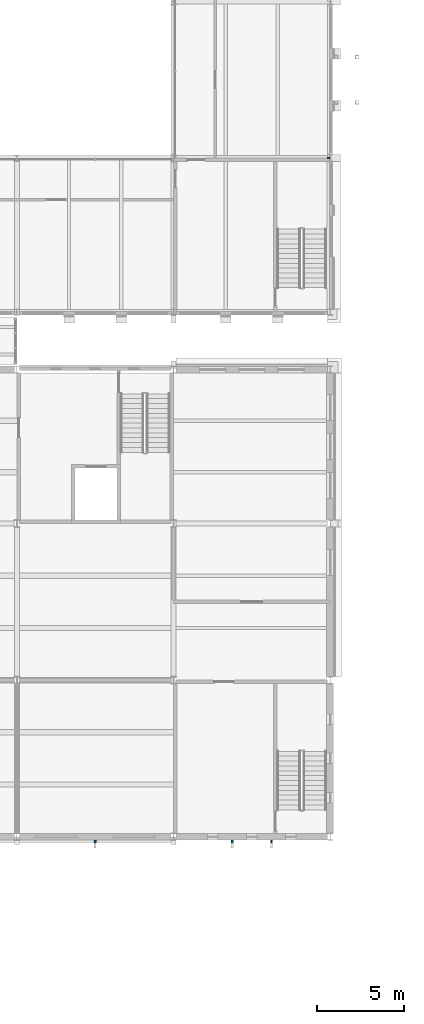
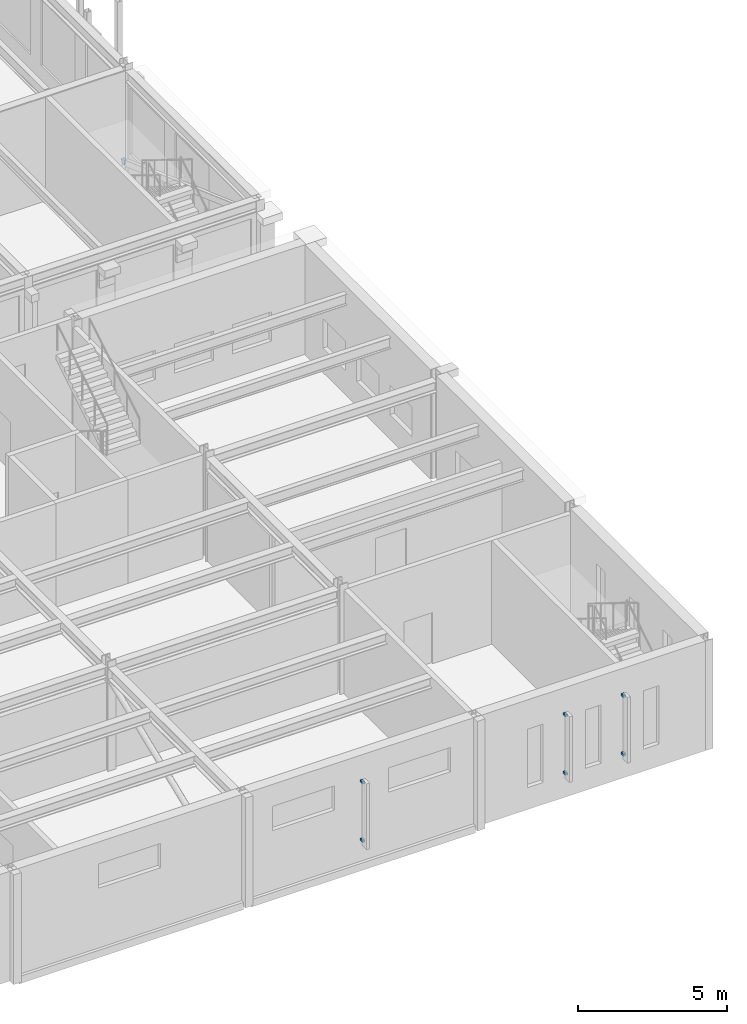
# One storey, part 114 of 153: 7 discrete accessories.
"""IFC4 building model written with IfcOpenShell, lengths in metres."""

from ifc_helpers import new_model, si_unit, direction, frame, origin, origin_2d, place, context, subcontext, project, spatial, rectangle, extrude, material, material_profile, profile_set, type_object, element, save


model = new_model("IFC4")

# Units and contexts
model_context = context("Model", 3, precision=1e-05, world=origin(), true_north=direction((0.0, 1.0)))
body_context = subcontext(model_context, "Body", "Model", "MODEL_VIEW")
ifc_project = project(units=[si_unit("LENGTHUNIT", "METRE"), si_unit("AREAUNIT", "SQUARE_METRE"), si_unit("VOLUMEUNIT", "CUBIC_METRE"), si_unit("PLANEANGLEUNIT", "RADIAN"), si_unit("MASSUNIT", "GRAM", prefix="KILO")], contexts=[model_context])

# Site, building, storey
site_placement = place(None, origin())
site = spatial("IfcSite", under=ifc_project, at=site_placement, CompositionType="ELEMENT")
building_placement = place(site_placement, origin())
building = spatial("IfcBuilding", under=site, at=building_placement, Name="Kallimachos Central Library", CompositionType="ELEMENT")
storey_placement = place(building_placement, frame((0.0, 0.0, 5.39990234375)))
storey = spatial("IfcBuildingStorey", under=building, at=storey_placement, Name="L01", CompositionType="ELEMENT", Elevation=5.39990234375)

# Discrete accessories
ifc_material_1 = material(Name="Steel S355J2", Category="steel")
ifc_material_profile = material_profile(ifc_material_1, rectangle(XDim=0.14990234375, YDim=0.25, at=origin_2d()), Name="End cap plate 10, 150x250")
ifc_profile_set = profile_set([ifc_material_profile], Name="Steel S355J2")
discrete_accessory_type_1 = type_object("IfcDiscreteAccessoryType", Name="End cap plate 10, 150x250", PredefinedType="BRACKET", material=ifc_profile_set)
discrete_accessory_placement = place(storey_placement, frame((110.39990234375, 57.009521484375, 0.396728515625), z_axis=(0.0, -0.941194670762, 0.337864753607), x_axis=(1.0, 0.0, 0.0)))
element("IfcDiscreteAccessory", 1, at=discrete_accessory_placement, inside=storey, type_object=discrete_accessory_type_1, Name="End cap plate", PredefinedType="BRACKET", context=body_context, shape_type="SweptSolid", body=[
    extrude(rectangle(XDim=0.14990234375, YDim=0.25, at=origin_2d()), origin(), (0.0, 0.0, 1.0), 0.010009765625),
])
ifc_material_2 = material(Name="Stainless steel", Category="steel")
discrete_accessory_type_2 = type_object("IfcDiscreteAccessoryType", Name="Fin bracket", PredefinedType="BRACKET", material=ifc_material_2)
for number, where, z_axis, x_axis, name in (
    (2, (97.0, 17.72509765625, 1.0), (0.0, 0.0, 1.0), (1.0, 0.0, 0.0), "Fin bracket -L01-013"),
    (3, (97.0, 17.72509765625, 3.400146484375), (0.0, 0.0, 1.0), (1.0, 0.0, 0.0), "Fin bracket -L01-013"),
    (4, (104.875, 17.72509765625, 1.0), (0.0, 0.0, 1.0), (1.0, 0.0, 0.0), "Fin bracket -L01-014"),
    (5, (104.875, 17.72509765625, 3.400146484375), (0.0, 0.0, 1.0), (1.0, 0.0, 0.0), "Fin bracket -L01-014"),
    (6, (107.125, 17.72509765625, 1.0), (0.0, 0.0, 1.0), (1.0, 0.0, 0.0), "Fin bracket -L01-014"),
    (7, (107.125, 17.72509765625, 3.400146484375), (0.0, 0.0, 1.0), (1.0, 0.0, 0.0), "Fin bracket -L01-014"),
):
    element("IfcDiscreteAccessory", number, at=place(storey_placement, frame(where, z_axis=z_axis, x_axis=x_axis)), inside=storey, type_object=discrete_accessory_type_2, Name=name, PredefinedType="BRACKET", context=body_context, shape_type="SweptSolid", body=[
        extrude(rectangle(XDim=0.10009765625, YDim=0.14990234375, at=origin_2d()), origin(), (0.0, 0.0, 1.0), 0.10009765625),
    ])

save(model, "model.ifc")
